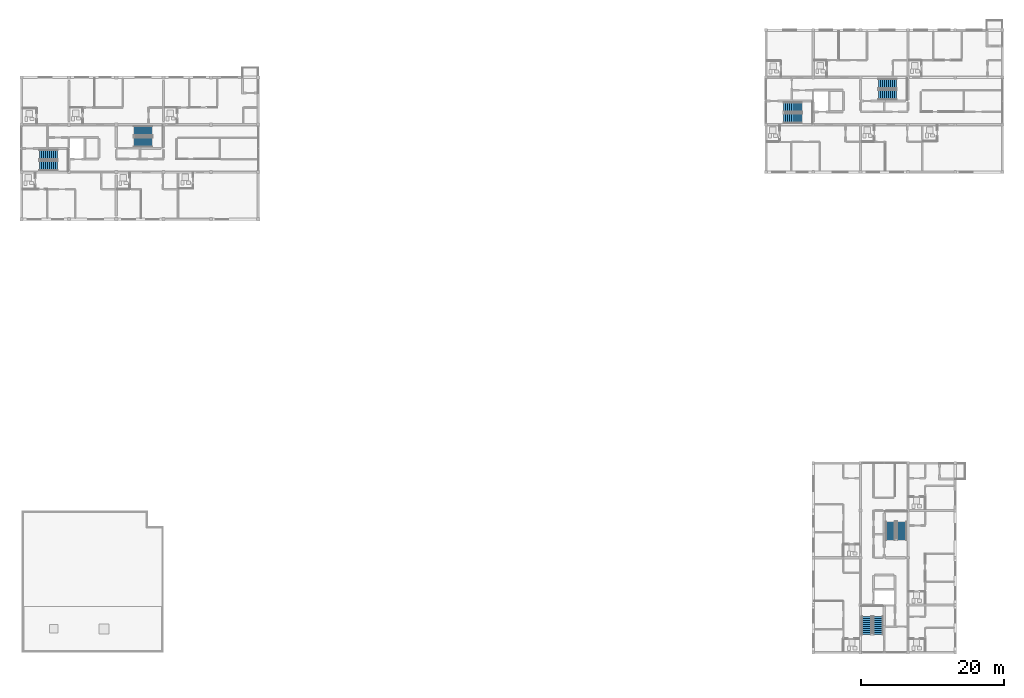
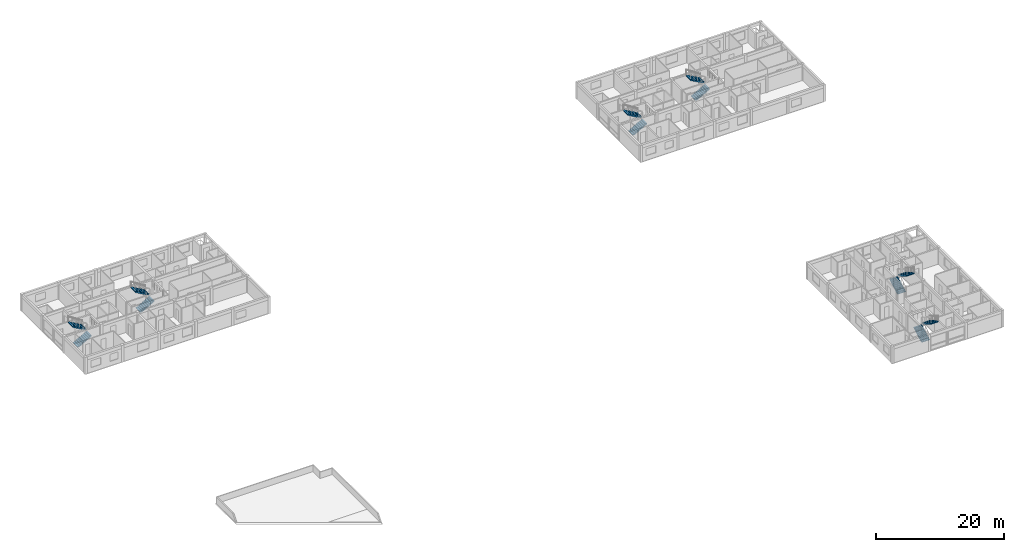
# One storey, part 28 of 34: 12 stair flights, 6 elements without a shape of their own.
"""IFC4 building model written with IfcOpenShell, lengths in metres."""

from ifc_helpers import new_model, si_unit, direction, frame, origin, place, context, subcontext, project, spatial, polyline, outline, extrude, material, type_object, element, aggregate, save


model = new_model("IFC4")

# Units and contexts
model_context = context("Model", 3, precision=1e-05, world=origin(), true_north=direction((0.0, 1.0)))
body_context = subcontext(model_context, "Body", "Model", "MODEL_VIEW")
ifc_project = project(units=[si_unit("LENGTHUNIT", "METRE"), si_unit("AREAUNIT", "SQUARE_METRE"), si_unit("VOLUMEUNIT", "CUBIC_METRE"), si_unit("PLANEANGLEUNIT", "RADIAN"), si_unit("MASSUNIT", "GRAM", prefix="KILO")], contexts=[model_context])

# Site, building, storey
site_placement = place(None, origin())
site = spatial("IfcSite", under=ifc_project, at=site_placement, CompositionType="ELEMENT")
building_placement = place(site_placement, origin())
building = spatial("IfcBuilding", under=site, at=building_placement, Name="Kernevlak Ridge Housing Community", CompositionType="ELEMENT")
storey_placement = place(building_placement, frame((0.0, 0.0, 34.0)))
storey = spatial("IfcBuildingStorey", under=building, at=storey_placement, Name="L10", CompositionType="ELEMENT", Elevation=34.0)

# Stair, stair flights
ifc_material = material(Name="Concrete C35/45", Category="concrete")
stair_type_1 = type_object("IfcStairType", Name="SR-01", PredefinedType="HALF_TURN_STAIR", material=ifc_material)
stair_1_placement = place(storey_placement, origin())
stair_1 = element("IfcStair", 1, at=stair_1_placement, inside=storey, type_object=stair_type_1, Name="Stair ST-B1 L10", PredefinedType="HALF_TURN_STAIR")
stair_flight_type_1 = type_object("IfcStairFlightType", Name="SF-01", PredefinedType="STRAIGHT", material=ifc_material)
stair_flight_1_placement = place(storey_placement, frame((121.8798828125, 90.06005859375, 0.0), z_axis=(0.0, 0.0, 1.0), x_axis=(1.0, 0.0, 0.0)))
stair_flight_1 = element("IfcStairFlight", 2, at=stair_flight_1_placement, type_object=stair_flight_type_1, Name="SR-01 flight 1", NumberOfRisers=10, NumberOfTreads=9, PredefinedType="STRAIGHT", RiserHeight=0.16, TreadLength=0.28, context=body_context, shape_type="SweptSolid", body=[
    extrude(outline(polyline([(0.0, 0.0), (0.0, 0.159912109375), (0.280029296875, 0.159912109375), (0.280029296875, 0.320068359375), (0.56005859375, 0.320068359375), (0.56005859375, 0.47998046875), (0.840087890625, 0.47998046875), (0.840087890625, 0.639892578125), (1.1201171875, 0.639892578125), (1.1201171875, 0.800048828125), (1.39990234375, 0.800048828125), (1.39990234375, 0.9599609375), (1.679931640625, 0.9599609375), (1.679931640625, 1.1201171875), (1.9599609375, 1.1201171875), (1.9599609375, 1.280029296875), (2.239990234375, 1.280029296875), (2.239990234375, 1.43994140625), (2.52001953125, 1.43994140625), (2.52001953125, 1.60009765625), (2.52001953125, 1.244384765625), (0.342529296875, 0.0), (0.0, 0.0)])), frame((0.0, 0.699951171875, 0.0), z_axis=(0.0, -1.0, 0.0), x_axis=(1.0, 0.0, 0.0)), (0.0, 0.0, 1.0), 1.39990234375),
])
stair_flight_2_placement = place(storey_placement, frame((124.39990234375, 91.639892578125, 1.60009765625), z_axis=(0.0, 0.0, 1.0), x_axis=(-1.0, 0.0, 0.0)))
stair_flight_2 = element("IfcStairFlight", 3, at=stair_flight_2_placement, type_object=stair_flight_type_1, Name="SR-01 flight 2", NumberOfRisers=10, NumberOfTreads=9, PredefinedType="STRAIGHT", RiserHeight=0.16, TreadLength=0.28, context=body_context, shape_type="SweptSolid", body=[
    extrude(outline(polyline([(0.0, 0.0), (0.0, 0.159912109375), (0.280029296875, 0.159912109375), (0.280029296875, 0.320068359375), (0.56005859375, 0.320068359375), (0.56005859375, 0.47998046875), (0.840087890625, 0.47998046875), (0.840087890625, 0.639892578125), (1.1201171875, 0.639892578125), (1.1201171875, 0.800048828125), (1.39990234375, 0.800048828125), (1.39990234375, 0.9599609375), (1.679931640625, 0.9599609375), (1.679931640625, 1.1201171875), (1.9599609375, 1.1201171875), (1.9599609375, 1.280029296875), (2.239990234375, 1.280029296875), (2.239990234375, 1.43994140625), (2.52001953125, 1.43994140625), (2.52001953125, 1.60009765625), (2.52001953125, 1.244384765625), (0.342529296875, 0.0), (0.0, 0.0)])), frame((0.0, 0.699951171875, 0.0), z_axis=(0.0, -1.0, 0.0), x_axis=(1.0, 0.0, 0.0)), (0.0, 0.0, 1.0), 1.39990234375),
])
aggregate(stair_1, [stair_flight_1, stair_flight_2])

stair_2_placement = place(storey_placement, origin())
stair_2 = element("IfcStair", 4, at=stair_2_placement, inside=storey, type_object=stair_type_1, Name="Stair ST-B2 L10", PredefinedType="HALF_TURN_STAIR")
stair_flight_3_placement = place(storey_placement, frame((135.080078125, 93.360107421875, 0.0), z_axis=(0.0, 0.0, 1.0), x_axis=(1.0, 0.0, 0.0)))
stair_flight_3 = element("IfcStairFlight", 5, at=stair_flight_3_placement, type_object=stair_flight_type_1, Name="SR-01 flight 1", NumberOfRisers=10, NumberOfTreads=9, PredefinedType="STRAIGHT", RiserHeight=0.16, TreadLength=0.28, context=body_context, shape_type="SweptSolid", body=[
    extrude(outline(polyline([(0.0, 0.0), (0.0, 0.159912109375), (0.280029296875, 0.159912109375), (0.280029296875, 0.320068359375), (0.56005859375, 0.320068359375), (0.56005859375, 0.47998046875), (0.840087890625, 0.47998046875), (0.840087890625, 0.639892578125), (1.1201171875, 0.639892578125), (1.1201171875, 0.800048828125), (1.39990234375, 0.800048828125), (1.39990234375, 0.9599609375), (1.679931640625, 0.9599609375), (1.679931640625, 1.1201171875), (1.9599609375, 1.1201171875), (1.9599609375, 1.280029296875), (2.239990234375, 1.280029296875), (2.239990234375, 1.43994140625), (2.52001953125, 1.43994140625), (2.52001953125, 1.60009765625), (2.52001953125, 1.244384765625), (0.342529296875, 0.0), (0.0, 0.0)])), frame((0.0, 0.699951171875, 0.0), z_axis=(0.0, -1.0, 0.0), x_axis=(1.0, 0.0, 0.0)), (0.0, 0.0, 1.0), 1.39990234375),
])
stair_flight_4_placement = place(storey_placement, frame((137.60009765625, 94.93994140625, 1.60009765625), z_axis=(0.0, 0.0, 1.0), x_axis=(-1.0, 0.0, 0.0)))
stair_flight_4 = element("IfcStairFlight", 6, at=stair_flight_4_placement, type_object=stair_flight_type_1, Name="SR-01 flight 2", NumberOfRisers=10, NumberOfTreads=9, PredefinedType="STRAIGHT", RiserHeight=0.16, TreadLength=0.28, context=body_context, shape_type="SweptSolid", body=[
    extrude(outline(polyline([(0.0, 0.0), (0.0, 0.159912109375), (0.280029296875, 0.159912109375), (0.280029296875, 0.320068359375), (0.56005859375, 0.320068359375), (0.56005859375, 0.47998046875), (0.840087890625, 0.47998046875), (0.840087890625, 0.639892578125), (1.1201171875, 0.639892578125), (1.1201171875, 0.800048828125), (1.39990234375, 0.800048828125), (1.39990234375, 0.9599609375), (1.679931640625, 0.9599609375), (1.679931640625, 1.1201171875), (1.9599609375, 1.1201171875), (1.9599609375, 1.280029296875), (2.239990234375, 1.280029296875), (2.239990234375, 1.43994140625), (2.52001953125, 1.43994140625), (2.52001953125, 1.60009765625), (2.52001953125, 1.244384765625), (0.342529296875, 0.0), (0.0, 0.0)])), frame((0.0, 0.699951171875, 0.0), z_axis=(0.0, -1.0, 0.0), x_axis=(1.0, 0.0, 0.0)), (0.0, 0.0, 1.0), 1.39990234375),
])
aggregate(stair_2, [stair_flight_3, stair_flight_4])

stair_type_2 = type_object("IfcStairType", Name="SR-06", PredefinedType="HALF_TURN_STAIR", material=ifc_material)
stair_3_placement = place(storey_placement, origin())
stair_3 = element("IfcStair", 7, at=stair_3_placement, inside=storey, type_object=stair_type_2, Name="Stair ST-A1 L10", PredefinedType="HALF_TURN_STAIR")
stair_flight_type_2 = type_object("IfcStairFlightType", Name="SF-06", PredefinedType="STRAIGHT", material=ifc_material)
stair_flight_5_placement = place(storey_placement, frame((18.080078125, 83.4599609375, 0.0), z_axis=(0.0, 0.0, 1.0), x_axis=(1.0, 0.0, 0.0)))
stair_flight_5 = element("IfcStairFlight", 8, at=stair_flight_5_placement, type_object=stair_flight_type_2, Name="SR-06 flight 1", NumberOfRisers=10, NumberOfTreads=9, PredefinedType="STRAIGHT", RiserHeight=0.16, TreadLength=0.28, context=body_context, shape_type="SweptSolid", body=[
    extrude(outline(polyline([(0.0, 0.0), (0.0, 0.159912109375), (0.280029296875, 0.159912109375), (0.280029296875, 0.320068359375), (0.56005859375, 0.320068359375), (0.56005859375, 0.47998046875), (0.840087890625, 0.47998046875), (0.840087890625, 0.639892578125), (1.1201171875, 0.639892578125), (1.1201171875, 0.800048828125), (1.39990234375, 0.800048828125), (1.39990234375, 0.9599609375), (1.679931640625, 0.9599609375), (1.679931640625, 1.1201171875), (1.9599609375, 1.1201171875), (1.9599609375, 1.280029296875), (2.239990234375, 1.280029296875), (2.239990234375, 1.43994140625), (2.52001953125, 1.43994140625), (2.52001953125, 1.60009765625), (2.52001953125, 1.244384765625), (0.342529296875, 0.0), (0.0, 0.0)])), frame((0.0, 0.719970703125, 0.0), z_axis=(0.0, -1.0, 0.0), x_axis=(1.0, 0.0, 0.0)), (0.0, 0.0, 1.0), 1.43994140625),
])
stair_flight_6_placement = place(storey_placement, frame((20.60009765625, 85.0400390625, 1.60009765625), z_axis=(0.0, 0.0, 1.0), x_axis=(-1.0, 0.0, 0.0)))
stair_flight_6 = element("IfcStairFlight", 9, at=stair_flight_6_placement, type_object=stair_flight_type_2, Name="SR-06 flight 2", NumberOfRisers=10, NumberOfTreads=9, PredefinedType="STRAIGHT", RiserHeight=0.16, TreadLength=0.28, context=body_context, shape_type="SweptSolid", body=[
    extrude(outline(polyline([(0.0, 0.0), (0.0, 0.159912109375), (0.280029296875, 0.159912109375), (0.280029296875, 0.320068359375), (0.56005859375, 0.320068359375), (0.56005859375, 0.47998046875), (0.840087890625, 0.47998046875), (0.840087890625, 0.639892578125), (1.1201171875, 0.639892578125), (1.1201171875, 0.800048828125), (1.39990234375, 0.800048828125), (1.39990234375, 0.9599609375), (1.679931640625, 0.9599609375), (1.679931640625, 1.1201171875), (1.9599609375, 1.1201171875), (1.9599609375, 1.280029296875), (2.239990234375, 1.280029296875), (2.239990234375, 1.43994140625), (2.52001953125, 1.43994140625), (2.52001953125, 1.60009765625), (2.52001953125, 1.244384765625), (0.342529296875, 0.0), (0.0, 0.0)])), frame((0.0, 0.719970703125, 0.0), z_axis=(0.0, -1.0, 0.0), x_axis=(1.0, 0.0, 0.0)), (0.0, 0.0, 1.0), 1.43994140625),
])
aggregate(stair_3, [stair_flight_5, stair_flight_6])

stair_4_placement = place(storey_placement, origin())
stair_4 = element("IfcStair", 10, at=stair_4_placement, inside=storey, type_object=stair_type_2, Name="Stair ST-A2 L10", PredefinedType="HALF_TURN_STAIR")
stair_flight_7_placement = place(storey_placement, frame((31.280029296875, 86.760009765625, 0.0), z_axis=(0.0, 0.0, 1.0), x_axis=(1.0, 0.0, 0.0)))
stair_flight_7 = element("IfcStairFlight", 11, at=stair_flight_7_placement, type_object=stair_flight_type_2, Name="SR-06 flight 1", NumberOfRisers=10, NumberOfTreads=9, PredefinedType="STRAIGHT", RiserHeight=0.16, TreadLength=0.28, context=body_context, shape_type="SweptSolid", body=[
    extrude(outline(polyline([(0.0, 0.0), (0.0, 0.159912109375), (0.280029296875, 0.159912109375), (0.280029296875, 0.320068359375), (0.56005859375, 0.320068359375), (0.56005859375, 0.47998046875), (0.840087890625, 0.47998046875), (0.840087890625, 0.639892578125), (1.1201171875, 0.639892578125), (1.1201171875, 0.800048828125), (1.39990234375, 0.800048828125), (1.39990234375, 0.9599609375), (1.679931640625, 0.9599609375), (1.679931640625, 1.1201171875), (1.9599609375, 1.1201171875), (1.9599609375, 1.280029296875), (2.239990234375, 1.280029296875), (2.239990234375, 1.43994140625), (2.52001953125, 1.43994140625), (2.52001953125, 1.60009765625), (2.52001953125, 1.244384765625), (0.342529296875, 0.0), (0.0, 0.0)])), frame((0.0, 0.719970703125, 0.0), z_axis=(0.0, -1.0, 0.0), x_axis=(1.0, 0.0, 0.0)), (0.0, 0.0, 1.0), 1.43994140625),
])
stair_flight_8_placement = place(storey_placement, frame((33.800048828125, 88.340087890625, 1.60009765625), z_axis=(0.0, 0.0, 1.0), x_axis=(-1.0, 0.0, 0.0)))
stair_flight_8 = element("IfcStairFlight", 12, at=stair_flight_8_placement, type_object=stair_flight_type_2, Name="SR-06 flight 2", NumberOfRisers=10, NumberOfTreads=9, PredefinedType="STRAIGHT", RiserHeight=0.16, TreadLength=0.28, context=body_context, shape_type="SweptSolid", body=[
    extrude(outline(polyline([(0.0, 0.0), (0.0, 0.159912109375), (0.280029296875, 0.159912109375), (0.280029296875, 0.320068359375), (0.56005859375, 0.320068359375), (0.56005859375, 0.47998046875), (0.840087890625, 0.47998046875), (0.840087890625, 0.639892578125), (1.1201171875, 0.639892578125), (1.1201171875, 0.800048828125), (1.39990234375, 0.800048828125), (1.39990234375, 0.9599609375), (1.679931640625, 0.9599609375), (1.679931640625, 1.1201171875), (1.9599609375, 1.1201171875), (1.9599609375, 1.280029296875), (2.239990234375, 1.280029296875), (2.239990234375, 1.43994140625), (2.52001953125, 1.43994140625), (2.52001953125, 1.60009765625), (2.52001953125, 1.244384765625), (0.342529296875, 0.0), (0.0, 0.0)])), frame((0.0, 0.719970703125, 0.0), z_axis=(0.0, -1.0, 0.0), x_axis=(1.0, 0.0, 0.0)), (0.0, 0.0, 1.0), 1.43994140625),
])
aggregate(stair_4, [stair_flight_7, stair_flight_8])

stair_5_placement = place(storey_placement, origin())
stair_5 = element("IfcStair", 13, at=stair_5_placement, inside=storey, type_object=stair_type_2, Name="Stair ST-C1 L10", PredefinedType="HALF_TURN_STAIR")
stair_flight_9_placement = place(storey_placement, frame((133.4599609375, 18.080078125, 0.0), z_axis=(0.0, 0.0, 1.0), x_axis=(0.0, 1.0, 0.0)))
stair_flight_9 = element("IfcStairFlight", 14, at=stair_flight_9_placement, type_object=stair_flight_type_2, Name="SR-06 flight 1", NumberOfRisers=10, NumberOfTreads=9, PredefinedType="STRAIGHT", RiserHeight=0.16, TreadLength=0.28, context=body_context, shape_type="SweptSolid", body=[
    extrude(outline(polyline([(0.0, 0.0), (0.0, 0.159912109375), (0.280029296875, 0.159912109375), (0.280029296875, 0.320068359375), (0.56005859375, 0.320068359375), (0.56005859375, 0.47998046875), (0.840087890625, 0.47998046875), (0.840087890625, 0.639892578125), (1.1201171875, 0.639892578125), (1.1201171875, 0.800048828125), (1.39990234375, 0.800048828125), (1.39990234375, 0.9599609375), (1.679931640625, 0.9599609375), (1.679931640625, 1.1201171875), (1.9599609375, 1.1201171875), (1.9599609375, 1.280029296875), (2.239990234375, 1.280029296875), (2.239990234375, 1.43994140625), (2.52001953125, 1.43994140625), (2.52001953125, 1.60009765625), (2.52001953125, 1.244384765625), (0.342529296875, 0.0), (0.0, 0.0)])), frame((0.0, 0.719970703125, 0.0), z_axis=(0.0, -1.0, 0.0), x_axis=(1.0, 0.0, 0.0)), (0.0, 0.0, 1.0), 1.43994140625),
])
stair_flight_10_placement = place(storey_placement, frame((135.0400390625, 20.60009765625, 1.60009765625), z_axis=(0.0, 0.0, 1.0), x_axis=(0.0, -1.0, 0.0)))
stair_flight_10 = element("IfcStairFlight", 15, at=stair_flight_10_placement, type_object=stair_flight_type_2, Name="SR-06 flight 2", NumberOfRisers=10, NumberOfTreads=9, PredefinedType="STRAIGHT", RiserHeight=0.16, TreadLength=0.28, context=body_context, shape_type="SweptSolid", body=[
    extrude(outline(polyline([(0.0, 0.0), (0.0, 0.159912109375), (0.280029296875, 0.159912109375), (0.280029296875, 0.320068359375), (0.56005859375, 0.320068359375), (0.56005859375, 0.47998046875), (0.840087890625, 0.47998046875), (0.840087890625, 0.639892578125), (1.1201171875, 0.639892578125), (1.1201171875, 0.800048828125), (1.39990234375, 0.800048828125), (1.39990234375, 0.9599609375), (1.679931640625, 0.9599609375), (1.679931640625, 1.1201171875), (1.9599609375, 1.1201171875), (1.9599609375, 1.280029296875), (2.239990234375, 1.280029296875), (2.239990234375, 1.43994140625), (2.52001953125, 1.43994140625), (2.52001953125, 1.60009765625), (2.52001953125, 1.244384765625), (0.342529296875, 0.0), (0.0, 0.0)])), frame((0.0, 0.719970703125, 0.0), z_axis=(0.0, -1.0, 0.0), x_axis=(1.0, 0.0, 0.0)), (0.0, 0.0, 1.0), 1.43994140625),
])
aggregate(stair_5, [stair_flight_9, stair_flight_10])

stair_6_placement = place(storey_placement, origin())
stair_6 = element("IfcStair", 16, at=stair_6_placement, inside=storey, type_object=stair_type_2, Name="Stair ST-C2 L10", PredefinedType="HALF_TURN_STAIR")
stair_flight_11_placement = place(storey_placement, frame((136.760009765625, 31.280029296875, 0.0), z_axis=(0.0, 0.0, 1.0), x_axis=(0.0, 1.0, 0.0)))
stair_flight_11 = element("IfcStairFlight", 17, at=stair_flight_11_placement, type_object=stair_flight_type_2, Name="SR-06 flight 1", NumberOfRisers=10, NumberOfTreads=9, PredefinedType="STRAIGHT", RiserHeight=0.16, TreadLength=0.28, context=body_context, shape_type="SweptSolid", body=[
    extrude(outline(polyline([(0.0, 0.0), (0.0, 0.159912109375), (0.280029296875, 0.159912109375), (0.280029296875, 0.320068359375), (0.56005859375, 0.320068359375), (0.56005859375, 0.47998046875), (0.840087890625, 0.47998046875), (0.840087890625, 0.639892578125), (1.1201171875, 0.639892578125), (1.1201171875, 0.800048828125), (1.39990234375, 0.800048828125), (1.39990234375, 0.9599609375), (1.679931640625, 0.9599609375), (1.679931640625, 1.1201171875), (1.9599609375, 1.1201171875), (1.9599609375, 1.280029296875), (2.239990234375, 1.280029296875), (2.239990234375, 1.43994140625), (2.52001953125, 1.43994140625), (2.52001953125, 1.60009765625), (2.52001953125, 1.244384765625), (0.342529296875, 0.0), (0.0, 0.0)])), frame((0.0, 0.719970703125, 0.0), z_axis=(0.0, -1.0, 0.0), x_axis=(1.0, 0.0, 0.0)), (0.0, 0.0, 1.0), 1.43994140625),
])
stair_flight_12_placement = place(storey_placement, frame((138.340087890625, 33.800048828125, 1.60009765625), z_axis=(0.0, 0.0, 1.0), x_axis=(0.0, -1.0, 0.0)))
stair_flight_12 = element("IfcStairFlight", 18, at=stair_flight_12_placement, type_object=stair_flight_type_2, Name="SR-06 flight 2", NumberOfRisers=10, NumberOfTreads=9, PredefinedType="STRAIGHT", RiserHeight=0.16, TreadLength=0.28, context=body_context, shape_type="SweptSolid", body=[
    extrude(outline(polyline([(0.0, 0.0), (0.0, 0.159912109375), (0.280029296875, 0.159912109375), (0.280029296875, 0.320068359375), (0.56005859375, 0.320068359375), (0.56005859375, 0.47998046875), (0.840087890625, 0.47998046875), (0.840087890625, 0.639892578125), (1.1201171875, 0.639892578125), (1.1201171875, 0.800048828125), (1.39990234375, 0.800048828125), (1.39990234375, 0.9599609375), (1.679931640625, 0.9599609375), (1.679931640625, 1.1201171875), (1.9599609375, 1.1201171875), (1.9599609375, 1.280029296875), (2.239990234375, 1.280029296875), (2.239990234375, 1.43994140625), (2.52001953125, 1.43994140625), (2.52001953125, 1.60009765625), (2.52001953125, 1.244384765625), (0.342529296875, 0.0), (0.0, 0.0)])), frame((0.0, 0.719970703125, 0.0), z_axis=(0.0, -1.0, 0.0), x_axis=(1.0, 0.0, 0.0)), (0.0, 0.0, 1.0), 1.43994140625),
])
aggregate(stair_6, [stair_flight_11, stair_flight_12])

save(model, "model.ifc")
